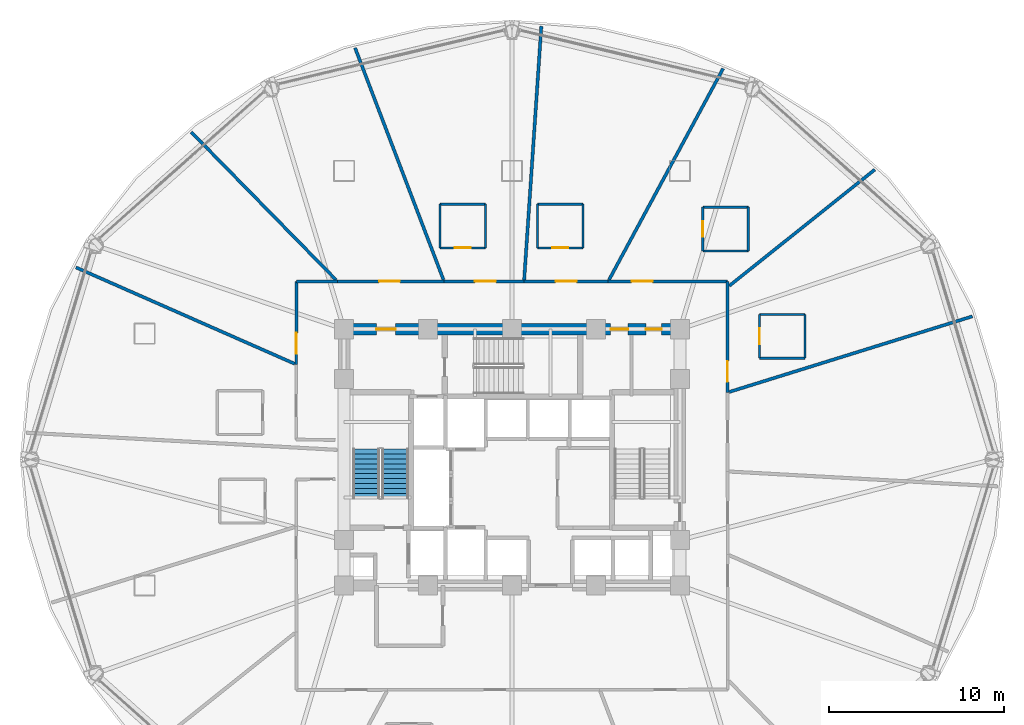
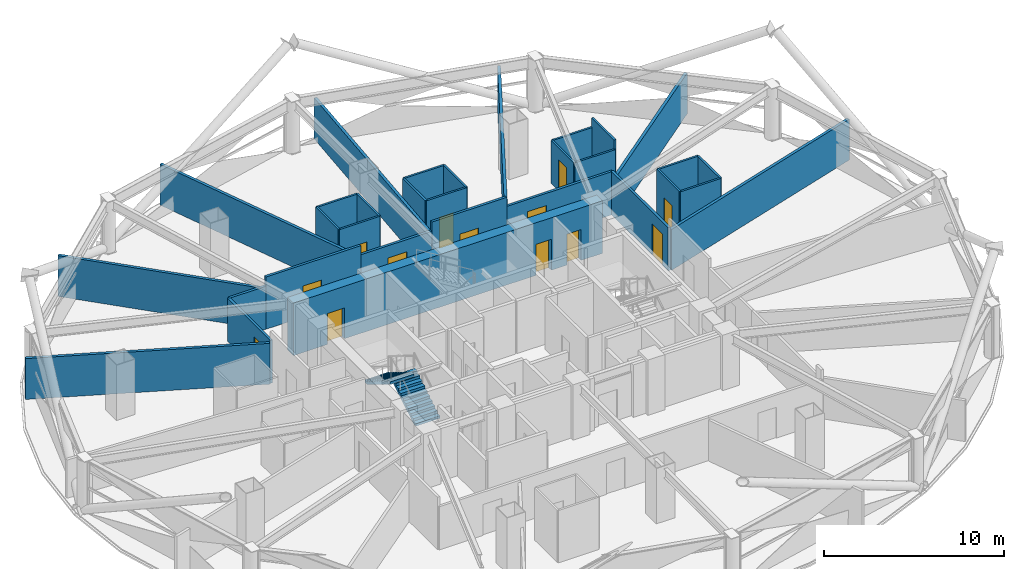
# One storey, part 24 of 30: 31 walls, 13 doors, 2 stair flights, 13 openings, 1 element without a shape of its own.
"""IFC4 building model written with IfcOpenShell, lengths in metres."""

from ifc_helpers import new_model, si_unit, direction, frame, frame_2d, origin, place, context, subcontext, project, spatial, polyline, rectangle, outline, extrude, material, layer, layer_set, type_object, element, fill, aggregate, save


model = new_model("IFC4")

# Units and contexts
model_context = context("Model", 3, precision=1e-05, world=origin(), true_north=direction((0.0, 1.0)))
body_context = subcontext(model_context, "Body", "Model", "MODEL_VIEW")
ifc_project = project(units=[si_unit("LENGTHUNIT", "METRE"), si_unit("AREAUNIT", "SQUARE_METRE"), si_unit("VOLUMEUNIT", "CUBIC_METRE"), si_unit("PLANEANGLEUNIT", "RADIAN"), si_unit("MASSUNIT", "GRAM", prefix="KILO")], contexts=[model_context])

# Site, building, storey
site_placement = place(None, origin())
site = spatial("IfcSite", under=ifc_project, at=site_placement, CompositionType="ELEMENT")
building_placement = place(site_placement, origin())
building = spatial("IfcBuilding", under=site, at=building_placement, Name="Vantalir Tower", CompositionType="ELEMENT")
storey_placement = place(building_placement, frame((0.0, 0.0, 57.0)))
storey = spatial("IfcBuildingStorey", under=building, at=storey_placement, Name="L13", CompositionType="ELEMENT", Elevation=57.0)

# Walls
ifc_material_1 = material(Name="Moisture-resistant en-suite partition", Category="gypsum")
ifc_layer_1 = layer(ifc_material_1, 0.125)
ifc_layer_set_1 = layer_set([ifc_layer_1], Name="Moisture-resistant en-suite partition")
wall_type_1 = type_object("IfcWallType", Name="WL-BATH-125", PredefinedType="PARTITIONING", material=ifc_layer_set_1)
for number, where, z_axis, x_axis, name in (
    (1, (45.64990234375, 30.79296875, 0.0), (0.0, 0.0, 1.0), (1.0, 0.0, 0.0), "L13 En-suite 01 South Wall"),
    (2, (45.64990234375, 33.29296875, 0.0), (0.0, 0.0, 1.0), (1.0, 0.0, 0.0), "L13 En-suite 01 North Wall"),
):
    element("IfcWall", number, at=place(storey_placement, frame(where, z_axis=z_axis, x_axis=x_axis)), inside=storey, type_object=wall_type_1, Name=name, PredefinedType="PARTITIONING", context=body_context, shape_type="SweptSolid", body=[
        extrude(rectangle(XDim=2.60009765625, YDim=0.125, at=frame_2d((1.300048828125, 0.0))), origin(), (0.0, 0.0, 1.0), 3.550048828125),
    ])

# Wall, opening, door
wall_1_placement = place(storey_placement, frame((45.64990234375, 30.79296875, 0.0), z_axis=(0.0, 0.0, 1.0), x_axis=(0.0, 1.0, 0.0)))
wall_1 = element("IfcWall", 3, at=wall_1_placement, inside=storey, type_object=wall_type_1, Name="L13 En-suite 01 West Wall", PredefinedType="PARTITIONING", context=body_context, shape_type="SweptSolid", body=[
    extrude(rectangle(XDim=2.5, YDim=0.125, at=frame_2d((1.25, 0.0))), origin(), (0.0, 0.0, 1.0), 3.550048828125),
])
opening_1_placement = place(wall_1_placement, frame((0.800048828125, 0.0, 0.0)))
opening_1 = element("IfcOpeningElement", 4, at=opening_1_placement, cuts=wall_1, Name="Opening D-WC", PredefinedType="OPENING", context=body_context, shape_type="SweptSolid", body=[
    extrude(rectangle(XDim=0.89990234375, YDim=2.10009765625, at=frame_2d((0.449951171875, 1.050048828125))), frame((0.0, 0.072509765625, 0.0), z_axis=(0.0, -1.0, 0.0), x_axis=(1.0, 0.0, 0.0)), (0.0, 0.0, 1.0), 0.14501953125),
])
ifc_material_2 = material(Name="Moisture-resistant hardwood door", Category="wood")
door_type_1 = type_object("IfcDoorType", Name="DR-ENSUITE-900", OperationType="NOTDEFINED", PredefinedType="DOOR", material=ifc_material_2)
door_1_placement = place(opening_1_placement, frame((0.89990234375, 0.0, 0.0), z_axis=(0.0, 0.0, 1.0), x_axis=(-1.0, 0.0, 0.0)))
door_1 = element("IfcDoor", 5, at=door_1_placement, inside=storey, type_object=door_type_1, Name="L13 En-suite 01 Door", OperationType="SINGLE_SWING_LEFT", OverallHeight=2.10009765625, OverallWidth=0.89990234375, PredefinedType="DOOR", context=body_context, shape_type="SweptSolid", body=[
    extrude(rectangle(XDim=0.89990234375, YDim=2.10009765625, at=frame_2d((0.449951171875, 1.050048828125))), frame((0.0, 0.02490234375, 0.0), z_axis=(0.0, -1.0, 0.0), x_axis=(1.0, 0.0, 0.0)), (0.0, 0.0, 1.0), 0.050048828125),
])
fill(opening_1, door_1)

# Walls
wall_2_placement = place(storey_placement, frame((48.25, 30.79296875, 0.0), z_axis=(0.0, 0.0, 1.0), x_axis=(0.0, 1.0, 0.0)))
element("IfcWall", 6, at=wall_2_placement, inside=storey, type_object=wall_type_1, Name="L13 En-suite 01 East Wall", PredefinedType="PARTITIONING", context=body_context, shape_type="SweptSolid", body=[
    extrude(rectangle(XDim=2.5, YDim=0.125, at=frame_2d((1.25, 0.0))), origin(), (0.0, 0.0, 1.0), 3.550048828125),
])
for number, where, z_axis, x_axis, name in (
    (7, (42.406005859375, 36.926025390625, 0.0), (0.0, 0.0, 1.0), (1.0, 0.0, 0.0), "L13 En-suite 02 South Wall"),
    (8, (42.406005859375, 39.426025390625, 0.0), (0.0, 0.0, 1.0), (1.0, 0.0, 0.0), "L13 En-suite 02 North Wall"),
):
    element("IfcWall", number, at=place(storey_placement, frame(where, z_axis=z_axis, x_axis=x_axis)), inside=storey, type_object=wall_type_1, Name=name, PredefinedType="PARTITIONING", context=body_context, shape_type="SweptSolid", body=[
        extrude(rectangle(XDim=2.60009765625, YDim=0.125, at=frame_2d((1.300048828125, 0.0))), origin(), (0.0, 0.0, 1.0), 2.927978515625),
    ])

# Wall, opening, door
wall_3_placement = place(storey_placement, frame((42.406005859375, 36.926025390625, 0.0), z_axis=(0.0, 0.0, 1.0), x_axis=(0.0, 1.0, 0.0)))
wall_3 = element("IfcWall", 9, at=wall_3_placement, inside=storey, type_object=wall_type_1, Name="L13 En-suite 02 West Wall", PredefinedType="PARTITIONING", context=body_context, shape_type="SweptSolid", body=[
    extrude(rectangle(XDim=2.5, YDim=0.125, at=frame_2d((1.25, 0.0))), origin(), (0.0, 0.0, 1.0), 2.927978515625),
])
opening_2_placement = place(wall_3_placement, frame((0.800048828125, 0.0, 0.0)))
opening_2 = element("IfcOpeningElement", 10, at=opening_2_placement, cuts=wall_3, Name="Opening D-WC", PredefinedType="OPENING", context=body_context, shape_type="SweptSolid", body=[
    extrude(rectangle(XDim=0.89990234375, YDim=2.10009765625, at=frame_2d((0.449951171875, 1.050048828125))), frame((0.0, 0.072509765625, 0.0), z_axis=(0.0, -1.0, 0.0), x_axis=(1.0, 0.0, 0.0)), (0.0, 0.0, 1.0), 0.14501953125),
])
door_2_placement = place(opening_2_placement, frame((0.89990234375, 0.0, 0.0), z_axis=(0.0, 0.0, 1.0), x_axis=(-1.0, 0.0, 0.0)))
door_2 = element("IfcDoor", 11, at=door_2_placement, inside=storey, type_object=door_type_1, Name="L13 En-suite 02 Door", OperationType="SINGLE_SWING_RIGHT", OverallHeight=2.10009765625, OverallWidth=0.89990234375, PredefinedType="DOOR", context=body_context, shape_type="SweptSolid", body=[
    extrude(rectangle(XDim=0.89990234375, YDim=2.10009765625, at=frame_2d((0.449951171875, 1.050048828125))), frame((0.0, 0.02490234375, 0.0), z_axis=(0.0, -1.0, 0.0), x_axis=(1.0, 0.0, 0.0)), (0.0, 0.0, 1.0), 0.050048828125),
])
fill(opening_2, door_2)

# Wall
wall_4_placement = place(storey_placement, frame((45.006103515625, 36.926025390625, 0.0), z_axis=(0.0, 0.0, 1.0), x_axis=(0.0, 1.0, 0.0)))
element("IfcWall", 12, at=wall_4_placement, inside=storey, type_object=wall_type_1, Name="L13 En-suite 02 East Wall", PredefinedType="PARTITIONING", context=body_context, shape_type="SweptSolid", body=[
    extrude(rectangle(XDim=2.5, YDim=0.125, at=frame_2d((1.25, 0.0))), origin(), (0.0, 0.0, 1.0), 3.550048828125),
])

# Wall, opening, door
wall_5_placement = place(storey_placement, frame((32.965087890625, 37.097900390625, 0.0), z_axis=(0.0, 0.0, 1.0), x_axis=(1.0, 0.0, 0.0)))
wall_5 = element("IfcWall", 13, at=wall_5_placement, inside=storey, type_object=wall_type_1, Name="L13 En-suite 03 South Wall", PredefinedType="PARTITIONING", context=body_context, shape_type="SweptSolid", body=[
    extrude(rectangle(XDim=2.599853515625, YDim=0.125, at=frame_2d((1.2998046875, 0.0))), origin(), (0.0, 0.0, 1.0), 3.550048828125),
])
opening_3_placement = place(wall_5_placement, frame((0.85009765625, 0.0, 0.0)))
opening_3 = element("IfcOpeningElement", 14, at=opening_3_placement, cuts=wall_5, Name="Opening D-WC", PredefinedType="OPENING", context=body_context, shape_type="SweptSolid", body=[
    extrude(rectangle(XDim=0.89990234375, YDim=2.10009765625, at=frame_2d((0.449951171875, 1.050048828125))), frame((0.0, 0.072509765625, 0.0), z_axis=(0.0, -1.0, 0.0), x_axis=(1.0, 0.0, 0.0)), (0.0, 0.0, 1.0), 0.14501953125),
])
door_3_placement = place(opening_3_placement, origin())
door_3 = element("IfcDoor", 15, at=door_3_placement, inside=storey, type_object=door_type_1, Name="L13 En-suite 03 Door", OperationType="SINGLE_SWING_LEFT", OverallHeight=2.10009765625, OverallWidth=0.89990234375, PredefinedType="DOOR", context=body_context, shape_type="SweptSolid", body=[
    extrude(rectangle(XDim=0.89990234375, YDim=2.10009765625, at=frame_2d((0.449951171875, 1.050048828125))), frame((0.0, 0.02490234375, 0.0), z_axis=(0.0, -1.0, 0.0), x_axis=(1.0, 0.0, 0.0)), (0.0, 0.0, 1.0), 0.050048828125),
])
fill(opening_3, door_3)

# Walls
wall_6_placement = place(storey_placement, frame((32.965087890625, 39.597900390625, 0.0), z_axis=(0.0, 0.0, 1.0), x_axis=(1.0, 0.0, 0.0)))
element("IfcWall", 16, at=wall_6_placement, inside=storey, type_object=wall_type_1, Name="L13 En-suite 03 North Wall", PredefinedType="PARTITIONING", context=body_context, shape_type="SweptSolid", body=[
    extrude(rectangle(XDim=2.599853515625, YDim=0.125, at=frame_2d((1.2998046875, 0.0))), origin(), (0.0, 0.0, 1.0), 3.550048828125),
])
for number, where, z_axis, x_axis, name in (
    (17, (32.965087890625, 37.097900390625, 0.0), (0.0, 0.0, 1.0), (0.0, 1.0, 0.0), "L13 En-suite 03 West Wall"),
    (18, (35.56494140625, 37.097900390625, 0.0), (0.0, 0.0, 1.0), (0.0, 1.0, 0.0), "L13 En-suite 03 East Wall"),
):
    element("IfcWall", number, at=place(storey_placement, frame(where, z_axis=z_axis, x_axis=x_axis)), inside=storey, type_object=wall_type_1, Name=name, PredefinedType="PARTITIONING", context=body_context, shape_type="SweptSolid", body=[
        extrude(rectangle(XDim=2.5, YDim=0.125, at=frame_2d((1.25, 0.0))), origin(), (0.0, 0.0, 1.0), 3.550048828125),
    ])

# Wall, opening, door
wall_7_placement = place(storey_placement, frame((27.381103515625, 37.097900390625, 0.0), z_axis=(0.0, 0.0, 1.0), x_axis=(1.0, 0.0, 0.0)))
wall_7 = element("IfcWall", 19, at=wall_7_placement, inside=storey, type_object=wall_type_1, Name="L13 En-suite 04 South Wall", PredefinedType="PARTITIONING", context=body_context, shape_type="SweptSolid", body=[
    extrude(rectangle(XDim=2.599853515625, YDim=0.125, at=frame_2d((1.2998046875, 0.0))), origin(), (0.0, 0.0, 1.0), 3.550048828125),
])
opening_4_placement = place(wall_7_placement, frame((0.85009765625, 0.0, 0.0)))
opening_4 = element("IfcOpeningElement", 20, at=opening_4_placement, cuts=wall_7, Name="Opening D-WC", PredefinedType="OPENING", context=body_context, shape_type="SweptSolid", body=[
    extrude(rectangle(XDim=0.89990234375, YDim=2.10009765625, at=frame_2d((0.449951171875, 1.050048828125))), frame((0.0, 0.072509765625, 0.0), z_axis=(0.0, -1.0, 0.0), x_axis=(1.0, 0.0, 0.0)), (0.0, 0.0, 1.0), 0.14501953125),
])
door_4_placement = place(opening_4_placement, origin())
door_4 = element("IfcDoor", 21, at=door_4_placement, inside=storey, type_object=door_type_1, Name="L13 En-suite 04 Door", OperationType="SINGLE_SWING_RIGHT", OverallHeight=2.10009765625, OverallWidth=0.89990234375, PredefinedType="DOOR", context=body_context, shape_type="SweptSolid", body=[
    extrude(rectangle(XDim=0.89990234375, YDim=2.10009765625, at=frame_2d((0.449951171875, 1.050048828125))), frame((0.0, 0.02490234375, 0.0), z_axis=(0.0, -1.0, 0.0), x_axis=(1.0, 0.0, 0.0)), (0.0, 0.0, 1.0), 0.050048828125),
])
fill(opening_4, door_4)

# Walls
wall_8_placement = place(storey_placement, frame((27.381103515625, 39.597900390625, 0.0), z_axis=(0.0, 0.0, 1.0), x_axis=(1.0, 0.0, 0.0)))
element("IfcWall", 22, at=wall_8_placement, inside=storey, type_object=wall_type_1, Name="L13 En-suite 04 North Wall", PredefinedType="PARTITIONING", context=body_context, shape_type="SweptSolid", body=[
    extrude(rectangle(XDim=2.599853515625, YDim=0.125, at=frame_2d((1.2998046875, 0.0))), origin(), (0.0, 0.0, 1.0), 3.550048828125),
])
for number, where, z_axis, x_axis, name in (
    (23, (27.381103515625, 37.097900390625, 0.0), (0.0, 0.0, 1.0), (0.0, 1.0, 0.0), "L13 En-suite 04 West Wall"),
    (24, (29.98095703125, 37.097900390625, 0.0), (0.0, 0.0, 1.0), (0.0, 1.0, 0.0), "L13 En-suite 04 East Wall"),
):
    element("IfcWall", number, at=place(storey_placement, frame(where, z_axis=z_axis, x_axis=x_axis)), inside=storey, type_object=wall_type_1, Name=name, PredefinedType="PARTITIONING", context=body_context, shape_type="SweptSolid", body=[
        extrude(rectangle(XDim=2.5, YDim=0.125, at=frame_2d((1.25, 0.0))), origin(), (0.0, 0.0, 1.0), 3.550048828125),
    ])

# Wall, openings, doors
ifc_material_3 = material(Name="Concrete C60/75", Category="concrete")
ifc_layer_2 = layer(ifc_material_3, 0.64990234375)
ifc_layer_set_2 = layer_set([ifc_layer_2], Name="Concrete C60/75")
wall_type_2 = type_object("IfcWallType", Name="WL-CORE-650", PredefinedType="SHEAR", material=ifc_layer_set_2)
wall_9_placement = place(storey_placement, frame((21.574951171875, 32.449951171875, 0.0), z_axis=(0.0, 0.0, 1.0), x_axis=(1.0, 0.0, 0.0)))
wall_9 = element("IfcWall", 25, at=wall_9_placement, inside=storey, type_object=wall_type_2, Name="L13 Core Shear Wall North", PredefinedType="SHEAR", context=body_context, shape_type="SweptSolid", body=[
    extrude(rectangle(XDim=19.85009765625, YDim=0.64990234375, at=frame_2d((9.925048828125, 0.0))), origin(), (0.0, 0.0, 1.0), 3.570068359375),
])
opening_5_placement = place(wall_9_placement, frame((2.175048828125, 0.0, 0.0)))
opening_5 = element("IfcOpeningElement", 26, at=opening_5_placement, cuts=wall_9, Name="Opening D-FFL", PredefinedType="OPENING", context=body_context, shape_type="SweptSolid", body=[
    extrude(rectangle(XDim=1.10009765625, YDim=2.10009765625, at=frame_2d((0.550048828125, 1.050048828125))), frame((0.0, 0.3349609375, 0.0), z_axis=(0.0, -1.0, 0.0), x_axis=(1.0, 0.0, 0.0)), (0.0, 0.0, 1.0), 0.669921875),
])
opening_6_placement = place(wall_9_placement, frame((15.56494140625, 0.0, 0.0)))
opening_6 = element("IfcOpeningElement", 27, at=opening_6_placement, cuts=wall_9, Name="Opening D-GUEST", PredefinedType="OPENING", context=body_context, shape_type="SweptSolid", body=[
    extrude(rectangle(XDim=1.0, YDim=2.10009765625, at=frame_2d((0.5, 1.050048828125))), frame((0.0, 0.3349609375, 0.0), z_axis=(0.0, -1.0, 0.0), x_axis=(1.0, 0.0, 0.0)), (0.0, 0.0, 1.0), 0.669921875),
])
opening_7_placement = place(wall_9_placement, frame((17.574951171875, 0.0, 0.0)))
opening_7 = element("IfcOpeningElement", 28, at=opening_7_placement, cuts=wall_9, Name="Opening D-CR", PredefinedType="OPENING", context=body_context, shape_type="SweptSolid", body=[
    extrude(rectangle(XDim=0.89990234375, YDim=2.10009765625, at=frame_2d((0.449951171875, 1.050048828125))), frame((0.0, 0.3349609375, 0.0), z_axis=(0.0, -1.0, 0.0), x_axis=(1.0, 0.0, 0.0)), (0.0, 0.0, 1.0), 0.669921875),
])
ifc_material_4 = material(Name="Fire-rated steel core service door", Category="steel")
door_type_2 = type_object("IfcDoorType", Name="DR-CORE-SERV-900", OperationType="NOTDEFINED", PredefinedType="DOOR", material=ifc_material_4)
door_5_placement = place(opening_7_placement, frame((0.89990234375, 0.0, 0.0), z_axis=(0.0, 0.0, 1.0), x_axis=(-1.0, 0.0, 0.0)))
door_5 = element("IfcDoor", 29, at=door_5_placement, inside=storey, type_object=door_type_2, Name="L13 Housekeeping and Linen Room Door", OperationType="SINGLE_SWING_RIGHT", OverallHeight=2.10009765625, OverallWidth=0.89990234375, PredefinedType="DOOR", context=body_context, shape_type="SweptSolid", body=[
    extrude(rectangle(XDim=0.89990234375, YDim=2.10009765625, at=frame_2d((0.449951171875, 1.050048828125))), frame((0.0, 0.02490234375, 0.0), z_axis=(0.0, -1.0, 0.0), x_axis=(1.0, 0.0, 0.0)), (0.0, 0.0, 1.0), 0.050048828125),
])
fill(opening_7, door_5)
ifc_material_5 = material(Name="Fire-rated acoustic steel door", Category="steel")
door_type_3 = type_object("IfcDoorType", Name="DR-FIRE-LOBBY-1100", OperationType="NOTDEFINED", PredefinedType="DOOR", material=ifc_material_5)
door_6_placement = place(opening_5_placement, frame((1.10009765625, 0.0, 0.0), z_axis=(0.0, 0.0, 1.0), x_axis=(-1.0, 0.0, 0.0)))
door_6 = element("IfcDoor", 30, at=door_6_placement, inside=storey, type_object=door_type_3, Name="L13 Firefighting Lobby East Access Door", OperationType="SINGLE_SWING_LEFT", OverallHeight=2.10009765625, OverallWidth=1.10009765625, PredefinedType="DOOR", context=body_context, shape_type="SweptSolid", body=[
    extrude(rectangle(XDim=1.10009765625, YDim=2.10009765625, at=frame_2d((0.550048828125, 1.050048828125))), frame((0.0, 0.02490234375, 0.0), z_axis=(0.0, -1.0, 0.0), x_axis=(1.0, 0.0, 0.0)), (0.0, 0.0, 1.0), 0.050048828125),
])
fill(opening_5, door_6)
ifc_material_6 = material(Name="Solid-core teak veneer acoustic fire door", Category="wood")
door_type_4 = type_object("IfcDoorType", Name="DR-GUEST-ENTRY-1000", OperationType="NOTDEFINED", PredefinedType="DOOR", material=ifc_material_6)
door_7_placement = place(opening_6_placement, frame((1.0, 0.0, 0.0), z_axis=(0.0, 0.0, 1.0), x_axis=(-1.0, 0.0, 0.0)))
door_7 = element("IfcDoor", 31, at=door_7_placement, inside=storey, type_object=door_type_4, Name="L13 High-Rise Lift Lobby Door", OperationType="SINGLE_SWING_LEFT", OverallHeight=2.10009765625, OverallWidth=1.0, PredefinedType="DOOR", context=body_context, shape_type="SweptSolid", body=[
    extrude(rectangle(XDim=1.0, YDim=2.10009765625, at=frame_2d((0.5, 1.050048828125))), frame((0.0, 0.02490234375, 0.0), z_axis=(0.0, -1.0, 0.0), x_axis=(1.0, 0.0, 0.0)), (0.0, 0.0, 1.0), 0.050048828125),
])
fill(opening_6, door_7)

# Wall, opening, door
ifc_material_7 = material(Name="Fire-rated hotel corridor acoustic partition", Category="gypsum")
ifc_layer_3 = layer(ifc_material_7, 0.159912109375)
ifc_layer_set_3 = layer_set([ifc_layer_3], Name="Fire-rated hotel corridor acoustic partition")
wall_type_3 = type_object("IfcWallType", Name="WL-CORR-160", PredefinedType="PARTITIONING", material=ifc_layer_set_3)
wall_10_placement = place(storey_placement, frame((19.169921875, 30.431884765625, 0.0), z_axis=(0.0, 0.0, 1.0), x_axis=(0.002311360614, 0.999997328802, 0.0)))
wall_10 = element("IfcWall", 32, at=wall_10_placement, inside=storey, type_object=wall_type_3, Name="L13 Corridor Partition 03", PredefinedType="PARTITIONING", context=body_context, shape_type="SweptSolid", body=[
    extrude(rectangle(XDim=4.753173828125, YDim=0.159912109375, at=frame_2d((2.37646484375, 0.0))), origin(), (0.0, 0.0, 1.0), 2.927978515625),
])
opening_8_placement = place(wall_10_placement, frame((0.60107421875, 0.0, 0.0)))
opening_8 = element("IfcOpeningElement", 33, at=opening_8_placement, cuts=wall_10, Name="Opening D-STE", PredefinedType="OPENING", context=body_context, shape_type="SweptSolid", body=[
    extrude(rectangle(XDim=1.199951171875, YDim=2.10009765625, at=frame_2d((0.60009765625, 1.050048828125))), frame((0.0, 0.08984375, 0.0), z_axis=(0.0, -1.0, 0.0), x_axis=(1.0, 0.0, 0.0)), (0.0, 0.0, 1.0), 0.179931640625),
])
ifc_material_8 = material(Name="Solid-core teak veneer suite entrance door", Category="wood")
door_type_5 = type_object("IfcDoorType", Name="DR-SUITE-ENTRY-1200", OperationType="NOTDEFINED", PredefinedType="DOOR", material=ifc_material_8)
door_8_placement = place(opening_8_placement, origin())
door_8 = element("IfcDoor", 34, at=door_8_placement, inside=storey, type_object=door_type_5, Name="L13 Executive Sky Boardroom 06 Door", OperationType="SINGLE_SWING_RIGHT", OverallHeight=2.10009765625, OverallWidth=1.199951171875, PredefinedType="DOOR", context=body_context, shape_type="SweptSolid", body=[
    extrude(rectangle(XDim=1.199951171875, YDim=2.10009765625, at=frame_2d((0.60009765625, 1.050048828125))), frame((0.0, 0.02490234375, 0.0), z_axis=(0.0, -1.0, 0.0), x_axis=(1.0, 0.0, 0.0)), (0.0, 0.0, 1.0), 0.050048828125),
])
fill(opening_8, door_8)

# Wall
wall_11_placement = place(storey_placement, frame((19.180908203125, 35.18505859375, 0.0), z_axis=(0.0, 0.0, 1.0), x_axis=(1.0, 0.0, 0.0)))
element("IfcWall", 35, at=wall_11_placement, inside=storey, type_object=wall_type_3, Name="L13 Corridor Partition 04", PredefinedType="PARTITIONING", context=body_context, shape_type="SweptSolid", body=[
    extrude(rectangle(XDim=2.343017578125, YDim=0.159912109375, at=frame_2d((1.17138671875, 0.0))), origin(), (0.0, 0.0, 1.0), 2.927978515625),
])

# Wall, opening, door
wall_12_placement = place(storey_placement, frame((21.52392578125, 35.18505859375, 0.0), z_axis=(0.0, 0.0, 1.0), x_axis=(1.0, 0.0, 0.0)))
wall_12 = element("IfcWall", 36, at=wall_12_placement, inside=storey, type_object=wall_type_3, Name="L13 Corridor Partition 05", PredefinedType="PARTITIONING", context=body_context, shape_type="SweptSolid", body=[
    extrude(rectangle(XDim=6.093017578125, YDim=0.159912109375, at=frame_2d((3.04638671875, 0.0))), origin(), (0.0, 0.0, 1.0), 3.550048828125),
])
opening_9_placement = place(wall_12_placement, frame((2.373046875, 0.0, 0.0)))
opening_9 = element("IfcOpeningElement", 37, at=opening_9_placement, cuts=wall_12, Name="Opening D-STE", PredefinedType="OPENING", context=body_context, shape_type="SweptSolid", body=[
    extrude(rectangle(XDim=1.199951171875, YDim=2.10009765625, at=frame_2d((0.60009765625, 1.050048828125))), frame((0.0, 0.08984375, 0.0), z_axis=(0.0, -1.0, 0.0), x_axis=(1.0, 0.0, 0.0)), (0.0, 0.0, 1.0), 0.179931640625),
])
door_9_placement = place(opening_9_placement, origin())
door_9 = element("IfcDoor", 38, at=door_9_placement, inside=storey, type_object=door_type_5, Name="L13 Executive Sky Boardroom 05 Door", OperationType="SINGLE_SWING_LEFT", OverallHeight=2.10009765625, OverallWidth=1.199951171875, PredefinedType="DOOR", context=body_context, shape_type="SweptSolid", body=[
    extrude(rectangle(XDim=1.199951171875, YDim=2.10009765625, at=frame_2d((0.60009765625, 1.050048828125))), frame((0.0, 0.02490234375, 0.0), z_axis=(0.0, -1.0, 0.0), x_axis=(1.0, 0.0, 0.0)), (0.0, 0.0, 1.0), 0.050048828125),
])
fill(opening_9, door_9)

wall_13_placement = place(storey_placement, frame((27.616943359375, 35.18505859375, 0.0), z_axis=(0.0, 0.0, 1.0), x_axis=(1.0, 0.0, 0.0)))
wall_13 = element("IfcWall", 39, at=wall_13_placement, inside=storey, type_object=wall_type_3, Name="L13 Corridor Partition 06", PredefinedType="PARTITIONING", context=body_context, shape_type="SweptSolid", body=[
    extrude(rectangle(XDim=4.572998046875, YDim=0.159912109375, at=frame_2d((2.28662109375, 0.0))), origin(), (0.0, 0.0, 1.0), 2.927978515625),
])
opening_10_placement = place(wall_13_placement, frame((1.759033203125, 0.0, 0.0)))
opening_10 = element("IfcOpeningElement", 40, at=opening_10_placement, cuts=wall_13, Name="Opening D-STE", PredefinedType="OPENING", context=body_context, shape_type="SweptSolid", body=[
    extrude(rectangle(XDim=1.199951171875, YDim=2.10009765625, at=frame_2d((0.60009765625, 1.050048828125))), frame((0.0, 0.08984375, 0.0), z_axis=(0.0, -1.0, 0.0), x_axis=(1.0, 0.0, 0.0)), (0.0, 0.0, 1.0), 0.179931640625),
])
door_10_placement = place(opening_10_placement, origin())
door_10 = element("IfcDoor", 41, at=door_10_placement, inside=storey, type_object=door_type_5, Name="L13 Corner Panorama Hotel Suite 04 Door", OperationType="SINGLE_SWING_RIGHT", OverallHeight=2.10009765625, OverallWidth=1.199951171875, PredefinedType="DOOR", context=body_context, shape_type="SweptSolid", body=[
    extrude(rectangle(XDim=1.199951171875, YDim=2.10009765625, at=frame_2d((0.60009765625, 1.050048828125))), frame((0.0, 0.02490234375, 0.0), z_axis=(0.0, -1.0, 0.0), x_axis=(1.0, 0.0, 0.0)), (0.0, 0.0, 1.0), 0.050048828125),
])
fill(opening_10, door_10)

wall_14_placement = place(storey_placement, frame((32.18994140625, 35.18505859375, 0.0), z_axis=(0.0, 0.0, 1.0), x_axis=(1.0, 0.0, 0.0)))
wall_14 = element("IfcWall", 42, at=wall_14_placement, inside=storey, type_object=wall_type_3, Name="L13 Corridor Partition 07", PredefinedType="PARTITIONING", context=body_context, shape_type="SweptSolid", body=[
    extrude(rectangle(XDim=4.81005859375, YDim=0.159912109375, at=frame_2d((2.405029296875, 0.0))), origin(), (0.0, 0.0, 1.0), 3.550048828125),
])
opening_11_placement = place(wall_14_placement, frame((1.804931640625, 0.0, 0.0)))
opening_11 = element("IfcOpeningElement", 43, at=opening_11_placement, cuts=wall_14, Name="Opening D-STE", PredefinedType="OPENING", context=body_context, shape_type="SweptSolid", body=[
    extrude(rectangle(XDim=1.199951171875, YDim=2.10009765625, at=frame_2d((0.60009765625, 1.050048828125))), frame((0.0, 0.08984375, 0.0), z_axis=(0.0, -1.0, 0.0), x_axis=(1.0, 0.0, 0.0)), (0.0, 0.0, 1.0), 0.179931640625),
])
door_11_placement = place(opening_11_placement, origin())
door_11 = element("IfcDoor", 44, at=door_11_placement, inside=storey, type_object=door_type_5, Name="L13 Executive Club Hotel Suite 03 Door", OperationType="SINGLE_SWING_LEFT", OverallHeight=2.10009765625, OverallWidth=1.199951171875, PredefinedType="DOOR", context=body_context, shape_type="SweptSolid", body=[
    extrude(rectangle(XDim=1.199951171875, YDim=2.10009765625, at=frame_2d((0.60009765625, 1.050048828125))), frame((0.0, 0.02490234375, 0.0), z_axis=(0.0, -1.0, 0.0), x_axis=(1.0, 0.0, 0.0)), (0.0, 0.0, 1.0), 0.050048828125),
])
fill(opening_11, door_11)

wall_15_placement = place(storey_placement, frame((37.0, 35.18505859375, 0.0), z_axis=(0.0, 0.0, 1.0), x_axis=(1.0, 0.0, 0.0)))
wall_15 = element("IfcWall", 45, at=wall_15_placement, inside=storey, type_object=wall_type_3, Name="L13 Corridor Partition 08", PredefinedType="PARTITIONING", context=body_context, shape_type="SweptSolid", body=[
    extrude(rectangle(XDim=6.819091796875, YDim=0.159912109375, at=frame_2d((3.40966796875, 0.0))), origin(), (0.0, 0.0, 1.0), 2.927978515625),
])
opening_12_placement = place(wall_15_placement, frame((1.337890625, 0.0, 0.0)))
opening_12 = element("IfcOpeningElement", 46, at=opening_12_placement, cuts=wall_15, Name="Opening D-STE", PredefinedType="OPENING", context=body_context, shape_type="SweptSolid", body=[
    extrude(rectangle(XDim=1.199951171875, YDim=2.10009765625, at=frame_2d((0.60009765625, 1.050048828125))), frame((0.0, 0.08984375, 0.0), z_axis=(0.0, -1.0, 0.0), x_axis=(1.0, 0.0, 0.0)), (0.0, 0.0, 1.0), 0.179931640625),
])
door_12_placement = place(opening_12_placement, origin())
door_12 = element("IfcDoor", 47, at=door_12_placement, inside=storey, type_object=door_type_5, Name="L13 Executive Club Hotel Suite 02 Door", OperationType="SINGLE_SWING_RIGHT", OverallHeight=2.10009765625, OverallWidth=1.199951171875, PredefinedType="DOOR", context=body_context, shape_type="SweptSolid", body=[
    extrude(rectangle(XDim=1.199951171875, YDim=2.10009765625, at=frame_2d((0.60009765625, 1.050048828125))), frame((0.0, 0.02490234375, 0.0), z_axis=(0.0, -1.0, 0.0), x_axis=(1.0, 0.0, 0.0)), (0.0, 0.0, 1.0), 0.050048828125),
])
fill(opening_12, door_12)

wall_16_placement = place(storey_placement, frame((43.819091796875, 35.18505859375, 0.0), z_axis=(0.0, 0.0, 1.0), x_axis=(0.000614958758, -0.999999810913, 0.0)))
wall_16 = element("IfcWall", 48, at=wall_16_placement, inside=storey, type_object=wall_type_3, Name="L13 Corridor Partition 09", PredefinedType="PARTITIONING", context=body_context, shape_type="SweptSolid", body=[
    extrude(rectangle(XDim=6.35205078125, YDim=0.159912109375, at=frame_2d((3.176025390625, 0.0))), origin(), (0.0, 0.0, 1.0), 2.927978515625),
])
opening_13_placement = place(wall_16_placement, frame((4.552978515625, 0.0, 0.0)))
opening_13 = element("IfcOpeningElement", 49, at=opening_13_placement, cuts=wall_16, Name="Opening D-STE", PredefinedType="OPENING", context=body_context, shape_type="SweptSolid", body=[
    extrude(rectangle(XDim=1.199951171875, YDim=2.10009765625, at=frame_2d((0.60009765625, 1.050048828125))), frame((0.0, 0.08984375, 0.0), z_axis=(0.0, -1.0, 0.0), x_axis=(1.0, 0.0, 0.0)), (0.0, 0.0, 1.0), 0.179931640625),
])
door_13_placement = place(opening_13_placement, origin())
door_13 = element("IfcDoor", 50, at=door_13_placement, inside=storey, type_object=door_type_5, Name="L13 Corner Panorama Hotel Suite 01 Door", OperationType="SINGLE_SWING_LEFT", OverallHeight=2.10009765625, OverallWidth=1.199951171875, PredefinedType="DOOR", context=body_context, shape_type="SweptSolid", body=[
    extrude(rectangle(XDim=1.199951171875, YDim=2.10009765625, at=frame_2d((0.60009765625, 1.050048828125))), frame((0.0, 0.02490234375, 0.0), z_axis=(0.0, -1.0, 0.0), x_axis=(1.0, 0.0, 0.0)), (0.0, 0.0, 1.0), 0.050048828125),
])
fill(opening_13, door_13)

# Walls
ifc_material_9 = material(Name="Twin-stud acoustic fire-rated gypsum partition", Category="gypsum")
ifc_layer_4 = layer(ifc_material_9, 0.179931640625)
ifc_layer_set_4 = layer_set([ifc_layer_4], Name="Twin-stud acoustic fire-rated gypsum partition")
wall_type_4 = type_object("IfcWallType", Name="WL-GUEST-180", PredefinedType="PARTITIONING", material=ifc_layer_set_4)
wall_17_placement = place(storey_placement, frame((43.9150390625, 28.861083984375, 0.0), z_axis=(0.0, 0.0, 1.0), x_axis=(0.954884570259, 0.296977200271, 0.0)))
element("IfcWall", 51, at=wall_17_placement, inside=storey, type_object=wall_type_4, Name="L13 Radial Suite Partition 01", PredefinedType="PARTITIONING", context=body_context, shape_type="SweptSolid", body=[
    extrude(rectangle(XDim=14.56005859375, YDim=0.179931640625, at=frame_2d((7.280029296875, 0.0))), origin(), (0.0, 0.0, 1.0), 2.77490234375),
])
wall_18_placement = place(storey_placement, frame((43.9150390625, 34.9208984375, 0.0), z_axis=(0.0, 0.0, 1.0), x_axis=(0.781201807071, 0.624278572938, 0.0)))
element("IfcWall", 52, at=wall_18_placement, inside=storey, type_object=wall_type_4, Name="L13 Radial Suite Partition 02", PredefinedType="PARTITIONING", context=body_context, shape_type="SweptSolid", body=[
    extrude(rectangle(XDim=10.654052734375, YDim=0.179931640625, at=frame_2d((5.3271484375, 0.0))), origin(), (0.0, 0.0, 1.0), 2.77490234375),
])
wall_19_placement = place(storey_placement, frame((37.04296875, 35.264892578125, 0.0), z_axis=(0.0, 0.0, 1.0), x_axis=(0.475167084094, 0.879895585961, 0.0)))
element("IfcWall", 53, at=wall_19_placement, inside=storey, type_object=wall_type_4, Name="L13 Radial Suite Partition 03", PredefinedType="PARTITIONING", context=body_context, shape_type="SweptSolid", body=[
    extrude(rectangle(XDim=13.732421875, YDim=0.179931640625, at=frame_2d((6.8662109375, 0.0))), origin(), (0.0, 0.0, 1.0), 2.77490234375),
])
wall_20_placement = place(storey_placement, frame((32.195068359375, 35.264892578125, 0.0), z_axis=(0.0, 0.0, 1.0), x_axis=(0.06760790372, 0.997711968132, 0.0)))
element("IfcWall", 54, at=wall_20_placement, inside=storey, type_object=wall_type_4, Name="L13 Radial Suite Partition 04", PredefinedType="PARTITIONING", context=body_context, shape_type="SweptSolid", body=[
    extrude(rectangle(XDim=14.538330078125, YDim=0.179931640625, at=frame_2d((7.26904296875, 0.0))), origin(), (0.0, 0.0, 1.0), 2.77490234375),
])
wall_21_placement = place(storey_placement, frame((27.5869140625, 35.264892578125, 0.0), z_axis=(0.0, 0.0, 1.0), x_axis=(-0.356216214418, 0.93440355767, 0.0)))
element("IfcWall", 55, at=wall_21_placement, inside=storey, type_object=wall_type_4, Name="L13 Radial Suite Partition 05", PredefinedType="PARTITIONING", context=body_context, shape_type="SweptSolid", body=[
    extrude(rectangle(XDim=14.20166015625, YDim=0.179931640625, at=frame_2d((7.100830078125, 0.0))), origin(), (0.0, 0.0, 1.0), 2.77490234375),
])
wall_22_placement = place(storey_placement, frame((21.445068359375, 35.264892578125, 0.0), z_axis=(0.0, 0.0, 1.0), x_axis=(-0.699754693744, 0.714383208498, 0.0)))
element("IfcWall", 56, at=wall_22_placement, inside=storey, type_object=wall_type_4, Name="L13 Radial Suite Partition 06", PredefinedType="PARTITIONING", context=body_context, shape_type="SweptSolid", body=[
    extrude(rectangle(XDim=11.832763671875, YDim=0.179931640625, at=frame_2d((5.91650390625, 0.0))), origin(), (0.0, 0.0, 1.0), 2.77490234375),
])
wall_23_placement = place(storey_placement, frame((19.0849609375, 30.468994140625, 0.0), z_axis=(0.0, 0.0, 1.0), x_axis=(-0.915142788341, 0.403129851223, 0.0)))
element("IfcWall", 57, at=wall_23_placement, inside=storey, type_object=wall_type_4, Name="L13 Radial Suite Partition 07", PredefinedType="PARTITIONING", context=body_context, shape_type="SweptSolid", body=[
    extrude(rectangle(XDim=13.67529296875, YDim=0.179931640625, at=frame_2d((6.837646484375, 0.0))), origin(), (0.0, 0.0, 1.0), 2.77490234375),
])

# Stair, stair flights
ifc_material_10 = material(Name="Concrete C40/50", Category="concrete")
stair_type = type_object("IfcStairType", Name="STR-CORE-1450", PredefinedType="HALF_TURN_STAIR", material=ifc_material_10)
stair_placement = place(storey_placement, origin())
stair = element("IfcStair", 58, at=stair_placement, inside=storey, type_object=stair_type, Name="L13 Core Exit Stair 1", PredefinedType="HALF_TURN_STAIR")
stair_flight_type = type_object("IfcStairFlightType", Name="FLT-CORE-1450", PredefinedType="STRAIGHT", material=ifc_material_10)
stair_flight_1_placement = place(storey_placement, frame((24.830078125, 22.7900390625, 0.0), z_axis=(0.0, 0.0, 1.0), x_axis=(0.0, 1.0, 0.0)))
stair_flight_1 = element("IfcStairFlight", 59, at=stair_flight_1_placement, type_object=stair_flight_type, Name="ST1 flight 1", NumberOfRisers=11, NumberOfTreads=10, PredefinedType="STRAIGHT", RiserHeight=0.170454545, TreadLength=0.28, context=body_context, shape_type="SweptSolid", body=[
    extrude(outline(polyline([(0.0, 0.0), (0.0, 0.17041015625), (0.280029296875, 0.17041015625), (0.280029296875, 0.3408203125), (0.56005859375, 0.3408203125), (0.56005859375, 0.511474609375), (0.840087890625, 0.511474609375), (0.840087890625, 0.681884765625), (1.1201171875, 0.681884765625), (1.1201171875, 0.852294921875), (1.39990234375, 0.852294921875), (1.39990234375, 1.022705078125), (1.679931640625, 1.022705078125), (1.679931640625, 1.193115234375), (1.9599609375, 1.193115234375), (1.9599609375, 1.363525390625), (2.239990234375, 1.363525390625), (2.239990234375, 1.5341796875), (2.52001953125, 1.5341796875), (2.52001953125, 1.70458984375), (2.800048828125, 1.70458984375), (2.800048828125, 1.875), (2.800048828125, 1.529052734375), (0.288330078125, 0.0), (0.0, 0.0)])), frame((0.0, 0.77001953125, 0.0), z_axis=(0.0, -1.0, 0.0), x_axis=(1.0, 0.0, 0.0)), (0.0, 0.0, 1.0), 1.5400390625),
])
stair_flight_2_placement = place(storey_placement, frame((23.169921875, 25.590087890625, 1.875), z_axis=(0.0, 0.0, 1.0), x_axis=(0.0, -1.0, 0.0)))
stair_flight_2 = element("IfcStairFlight", 60, at=stair_flight_2_placement, type_object=stair_flight_type, Name="ST1 flight 2", NumberOfRisers=11, NumberOfTreads=10, PredefinedType="STRAIGHT", RiserHeight=0.170454545, TreadLength=0.28, context=body_context, shape_type="SweptSolid", body=[
    extrude(outline(polyline([(0.0, 0.0), (0.0, 0.17041015625), (0.280029296875, 0.17041015625), (0.280029296875, 0.3408203125), (0.56005859375, 0.3408203125), (0.56005859375, 0.511474609375), (0.840087890625, 0.511474609375), (0.840087890625, 0.681884765625), (1.1201171875, 0.681884765625), (1.1201171875, 0.852294921875), (1.39990234375, 0.852294921875), (1.39990234375, 1.022705078125), (1.679931640625, 1.022705078125), (1.679931640625, 1.193115234375), (1.9599609375, 1.193115234375), (1.9599609375, 1.363525390625), (2.239990234375, 1.363525390625), (2.239990234375, 1.5341796875), (2.52001953125, 1.5341796875), (2.52001953125, 1.70458984375), (2.800048828125, 1.70458984375), (2.800048828125, 1.875), (2.800048828125, 1.529052734375), (0.288330078125, 0.0), (0.0, 0.0)])), frame((0.0, 0.77001953125, 0.0), z_axis=(0.0, -1.0, 0.0), x_axis=(1.0, 0.0, 0.0)), (0.0, 0.0, 1.0), 1.5400390625),
])
aggregate(stair, [stair_flight_1, stair_flight_2])

save(model, "model.ifc")
